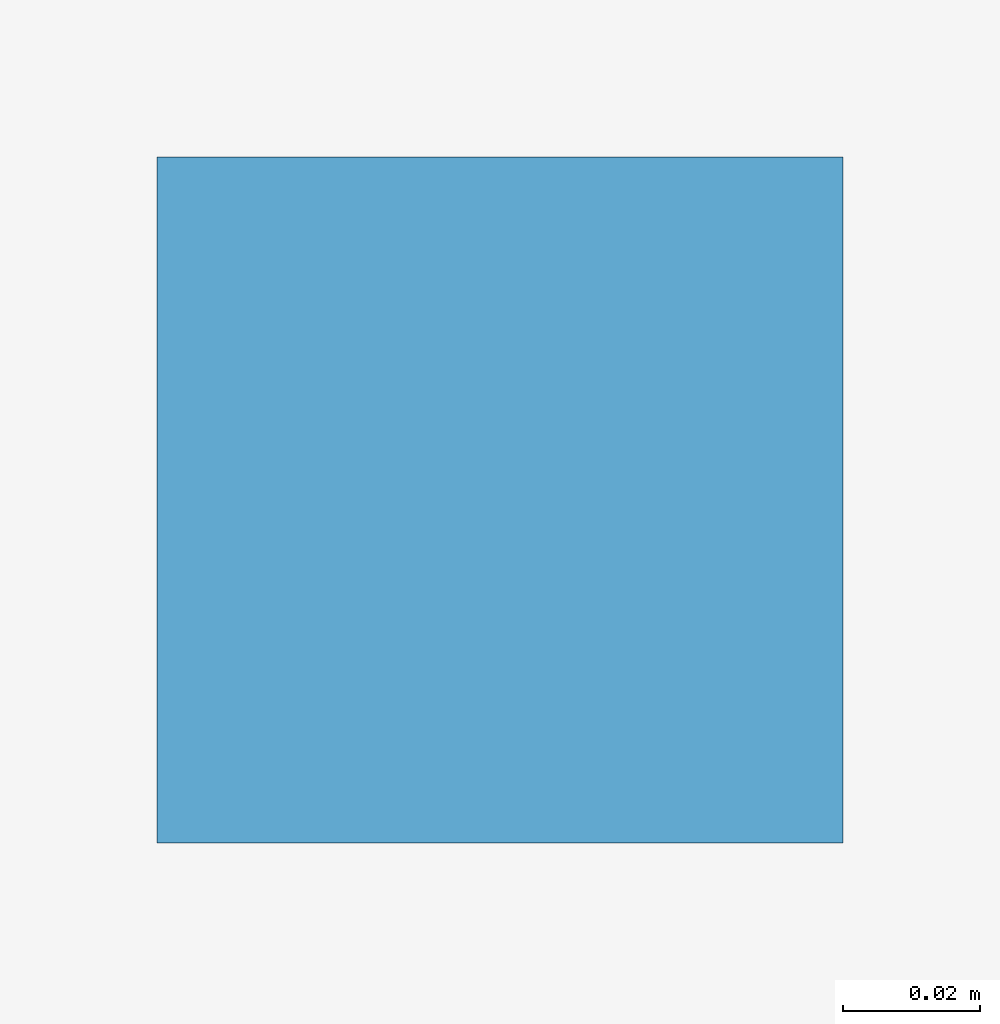
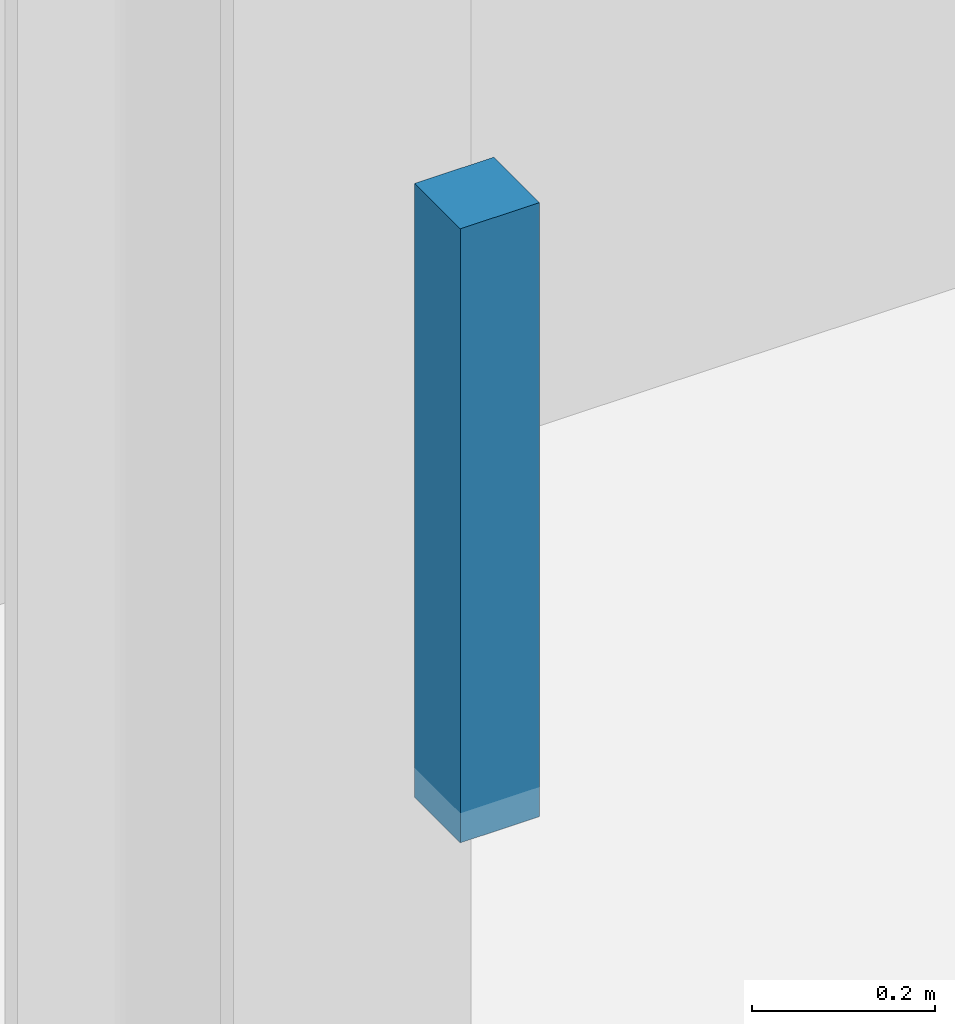
# One storey, part 75 of 89: 1 discrete accessory.
"""IFC4 building model written with IfcOpenShell, lengths in metres."""

import ifcopenshell
import ifcopenshell.guid

model = None  # the IFC model being written
_history = None  # IfcOwnerHistory: only IFC2X3 demands one
_inside = {}  # id of a spatial element -> (the spatial element, [elements in it])
_under = {}  # id of a project, library or spatial element -> (it, [spatial elements below it])
_declared = {}  # id of a project -> (the project, [libraries it declares])
_typed = {}  # id of a type object -> (the type object, [elements of that type])
_made_of = {}  # id of a material, layer set ... -> (it, [elements and type objects made of it])


def new_model(schema):
    """Start an empty IFC model of exactly this schema.

    Asked for "IFC4X3", IfcOpenShell would pick the latest addendum, in which some entities
    have other attributes; the version numbers below select the first issue.
    IFC2X3 requires an IfcOwnerHistory on every rooted entity: one is made here for all.
    """
    global model, _history
    if schema == "IFC4X3":
        model = ifcopenshell.file(schema_version=(4, 3, 0, 0))
    else:
        model = ifcopenshell.file(schema=schema)
    _inside.clear()
    _under.clear()
    _declared.clear()
    _typed.clear()
    _made_of.clear()
    _history = None
    if model.schema == "IFC2X3":
        org = make("IfcOrganization", Name="unknown")
        user = make(
            "IfcPersonAndOrganization",
            ThePerson=make("IfcPerson", FamilyName="unknown"),
            TheOrganization=org,
        )
        app = make(
            "IfcApplication",
            ApplicationDeveloper=org,
            Version="unknown",
            ApplicationFullName="unknown",
            ApplicationIdentifier="unknown",
        )
        _history = make(
            "IfcOwnerHistory",
            OwningUser=user,
            OwningApplication=app,
            ChangeAction="ADDED",
            CreationDate=0,
        )
    return model


def make(cls, **values):
    """One entity of the class cls with the attributes given. An attribute that is None is left unset."""
    return model.create_entity(
        cls, **{name: value for name, value in values.items() if value is not None}
    )


def rooted(cls, **values):
    """An entity with a GlobalId (a new one), such as an element, a storey or a relation."""
    return make(cls, GlobalId=ifcopenshell.guid.new(), OwnerHistory=_history, **values)


def si_unit(unit_type, name, prefix=None):
    """IfcSIUnit, for example si_unit("LENGTHUNIT", "METRE", prefix="MILLI")."""
    return make("IfcSIUnit", UnitType=unit_type, Prefix=prefix, Name=name)


def assignment(units):
    """IfcUnitAssignment: the units of a project."""
    return None if units is None else make("IfcUnitAssignment", Units=units)


def point(xyz):
    """IfcCartesianPoint."""
    return None if xyz is None else make("IfcCartesianPoint", Coordinates=xyz)


def direction(xyz):
    """IfcDirection."""
    return None if xyz is None else make("IfcDirection", DirectionRatios=xyz)


def frame(location, z_axis=None, x_axis=None):
    """IfcAxis2Placement3D, a coordinate frame: its origin and axes. An axis left out is left unset."""
    return make(
        "IfcAxis2Placement3D",
        Location=point(location),
        Axis=direction(z_axis),
        RefDirection=direction(x_axis),
    )


def frame_2d(location, x_axis=None):
    """IfcAxis2Placement2D, a coordinate frame in the plane: its origin and x axis."""
    return make(
        "IfcAxis2Placement2D", Location=point(location), RefDirection=direction(x_axis)
    )


def origin():
    """The frame at (0, 0, 0) with its axes left unset."""
    return frame((0.0, 0.0, 0.0))


def origin_2d():
    """The frame at (0, 0) in the plane with its x axis left unset."""
    return frame_2d((0.0, 0.0))


def place(relative_to, where):
    """IfcLocalPlacement: puts the frame where relative to a parent placement (None: the world)."""
    return make(
        "IfcLocalPlacement", PlacementRelTo=relative_to, RelativePlacement=where
    )


def context(
    kind, dimensions, precision=None, world=None, true_north=None, identifier=None
):
    """IfcGeometricRepresentationContext, for example the 3D "Model" context."""
    return make(
        "IfcGeometricRepresentationContext",
        ContextIdentifier=identifier,
        ContextType=kind,
        CoordinateSpaceDimension=dimensions,
        Precision=precision,
        WorldCoordinateSystem=world,
        TrueNorth=true_north,
    )


def subcontext(parent, identifier, kind, view, scale=None):
    """IfcGeometricRepresentationSubContext, for example "Body" below "Model"."""
    return make(
        "IfcGeometricRepresentationSubContext",
        ContextIdentifier=identifier,
        ContextType=kind,
        ParentContext=parent,
        TargetScale=scale,
        TargetView=view,
    )


def project(units=None, contexts=None):
    """IfcProject with its units and contexts."""
    return rooted(
        "IfcProject",
        Name="project",
        RepresentationContexts=contexts,
        UnitsInContext=assignment(units),
    )


def spatial(cls, under=None, at=None, **own):
    """A site, building, storey or space (cls), placed at a placement, below another one or the project."""
    s = rooted(cls, ObjectPlacement=at, **own)
    if under is not None:
        _under.setdefault(under.id(), (under, []))[1].append(s)
    return s


def profile(cls, at=None, kind="AREA", **sizes):
    """A parametric profile (cls). Its sizes go by their IFC names, for example OverallWidth=200.0."""
    return make(cls, ProfileType=kind, Position=at, **sizes)


def rectangle(**sizes):
    """IfcRectangleProfileDef."""
    return profile("IfcRectangleProfileDef", **sizes)


def extrude(swept, where, along, depth):
    """IfcExtrudedAreaSolid: the profile swept, set in the frame where, extruded along a direction by depth."""
    return make(
        "IfcExtrudedAreaSolid",
        SweptArea=swept,
        Position=where,
        ExtrudedDirection=direction(along),
        Depth=depth,
    )


def shape(context_of_items, identifier, shape_type, items):
    """IfcShapeRepresentation: the items that make up one representation, for example the "Body"."""
    return make(
        "IfcShapeRepresentation",
        ContextOfItems=context_of_items,
        RepresentationIdentifier=identifier,
        RepresentationType=shape_type,
        Items=items,
    )


def material(Name=None, Category=None):
    """IfcMaterial."""
    return make("IfcMaterial", Name=Name, Category=Category)


def made_of(thing, what):
    """Note that an element or type object is made of a material, layer set ...; save() writes the relation."""
    if what is not None:
        _made_of.setdefault(what.id(), (what, []))[1].append(thing)
    return thing


def type_object(cls, material=None, **own):
    """A type object (cls), such as IfcWallType, which elements share."""
    return made_of(rooted(cls, **own), material)


def element(
    cls,
    number,
    at=None,
    inside=None,
    cuts=None,
    type_object=None,
    material=None,
    context=None,
    identifier="Body",
    shape_type=None,
    held_by="IfcProductDefinitionShape",
    body=None,
    shapes=None,
    **own,
):
    """One element of the class cls, such as IfcWall. Its Tag is "e" and its number.

    at: its placement. inside: the storey or other place that contains it. cuts: it is an
    opening in that element (IfcRelVoidsElement). A single representation is given by context,
    identifier, shape_type and body (its items); several are given by shapes. held_by: the class
    of the entity that holds the representations. save() writes the other relations.
    """
    e = rooted(cls, Tag="e%d" % number, ObjectPlacement=at, **own)
    if body is not None:
        shapes = [shape(context, identifier, shape_type, body)]
    if shapes is not None:
        e.Representation = make(held_by, Representations=shapes)
    if inside is not None:
        _inside.setdefault(inside.id(), (inside, []))[1].append(e)
    if cuts is not None:
        rooted(
            "IfcRelVoidsElement", RelatingBuildingElement=cuts, RelatedOpeningElement=e
        )
    if type_object is not None:
        _typed.setdefault(type_object.id(), (type_object, []))[1].append(e)
    return made_of(e, material)


def aggregate(whole, parts):
    """IfcRelAggregates: a whole, such as a stair, and the parts it consists of."""
    return rooted("IfcRelAggregates", RelatingObject=whole, RelatedObjects=parts)


def save(model, path):
    """Write the relations noted so far, then the file.

    IfcRelAggregates (storeys below a building ...), IfcRelContainedInSpatialStructure (elements
    in a storey), IfcRelDefinesByType, IfcRelAssociatesMaterial and IfcRelDeclares: one each for
    every whole, place, type object, material and project.
    """
    for whole, parts in _under.values():
        aggregate(whole, parts)
    for where, things in _inside.values():
        rooted(
            "IfcRelContainedInSpatialStructure",
            RelatedElements=things,
            RelatingStructure=where,
        )
    for kind, things in _typed.values():
        rooted("IfcRelDefinesByType", RelatedObjects=things, RelatingType=kind)
    for what, things in _made_of.values():
        rooted("IfcRelAssociatesMaterial", RelatedObjects=things, RelatingMaterial=what)
    for by, libraries in _declared.values():
        rooted("IfcRelDeclares", RelatingContext=by, RelatedDefinitions=libraries)
    model.write(path)


model = new_model("IFC4")

# Units and contexts
model_context = context("Model", 3, precision=1e-05, world=origin(), true_north=direction((0.0, 1.0)))
body_context = subcontext(model_context, "Body", "Model", "MODEL_VIEW")
ifc_project = project(units=[si_unit("LENGTHUNIT", "METRE"), si_unit("AREAUNIT", "SQUARE_METRE"), si_unit("VOLUMEUNIT", "CUBIC_METRE"), si_unit("PLANEANGLEUNIT", "RADIAN"), si_unit("MASSUNIT", "GRAM", prefix="KILO"), si_unit("THERMODYNAMICTEMPERATUREUNIT", "KELVIN"), si_unit("POWERUNIT", "WATT")], contexts=[model_context])

# Site, building, storey
site_placement = place(None, origin())
site = spatial("IfcSite", under=ifc_project, at=site_placement, CompositionType="ELEMENT")
building_placement = place(site_placement, origin())
building = spatial("IfcBuilding", under=site, at=building_placement, Name="Solmara Park Aquatics Centre", CompositionType="ELEMENT")
storey_placement = place(building_placement, frame((0.0, 0.0, 5.39990234375)))
storey = spatial("IfcBuildingStorey", under=building, at=storey_placement, Name="L01", CompositionType="ELEMENT", Elevation=5.39990234375)

# Discrete accessory
ifc_material = material(Name="Galvanised Steel Ceiling Suspension Bracket", Category="steel")
discrete_accessory_type = type_object("IfcDiscreteAccessoryType", Name="ARC-ACC-HNG", PredefinedType="BRACKET", material=ifc_material)
discrete_accessory_placement = place(storey_placement, frame((102.699951171875, 113.22509765625, 3.080078125), z_axis=(0.0, 0.0, 1.0), x_axis=(1.0, 0.0, 0.0)))
element("IfcDiscreteAccessory", 1, at=discrete_accessory_placement, inside=storey, type_object=discrete_accessory_type, Name="Ceiling Hanger Bracket L01-LAB-01", PredefinedType="BRACKET", context=body_context, shape_type="SweptSolid", body=[
    extrude(rectangle(XDim=0.10009765625, YDim=0.10009765625, at=origin_2d()), origin(), (0.0, 0.0, 1.0), 0.820068359375),
])

save(model, "model.ifc")
